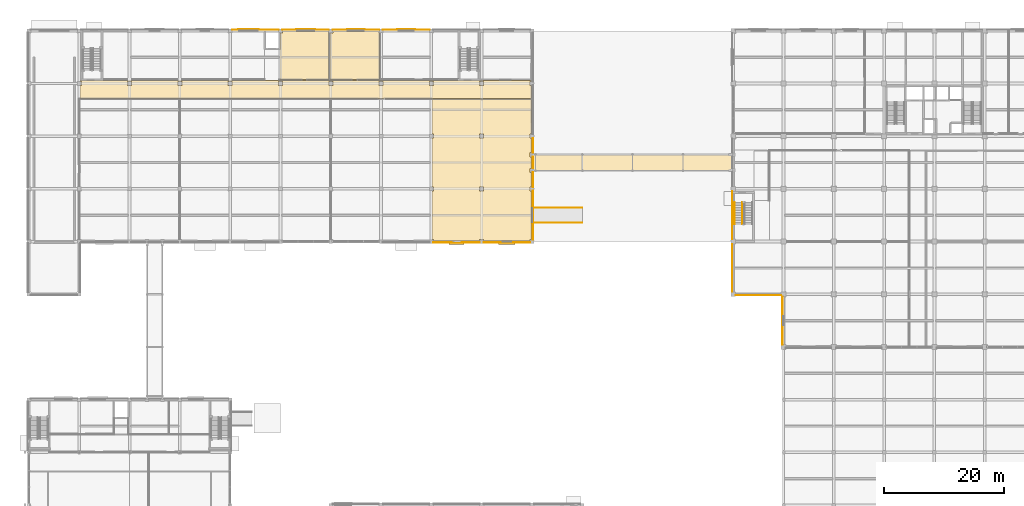
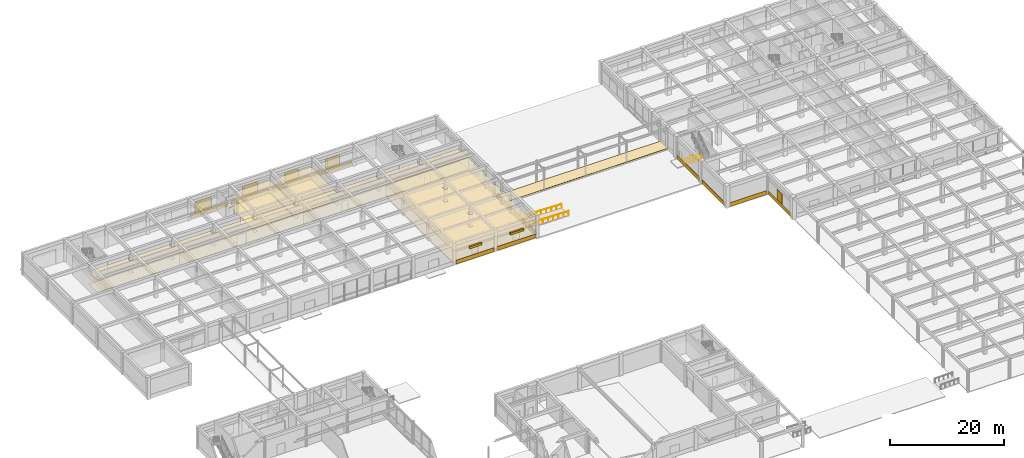
# One storey, part 53 of 58: 23 coverings, 7 shading devices, 4 railings.
"""IFC4 building model written with IfcOpenShell, lengths in metres."""

import ifcopenshell
import ifcopenshell.guid

model = None  # the IFC model being written
_history = None  # IfcOwnerHistory: only IFC2X3 demands one
_inside = {}  # id of a spatial element -> (the spatial element, [elements in it])
_under = {}  # id of a project, library or spatial element -> (it, [spatial elements below it])
_declared = {}  # id of a project -> (the project, [libraries it declares])
_typed = {}  # id of a type object -> (the type object, [elements of that type])
_made_of = {}  # id of a material, layer set ... -> (it, [elements and type objects made of it])


def new_model(schema):
    """Start an empty IFC model of exactly this schema.

    Asked for "IFC4X3", IfcOpenShell would pick the latest addendum, in which some entities
    have other attributes; the version numbers below select the first issue.
    IFC2X3 requires an IfcOwnerHistory on every rooted entity: one is made here for all.
    """
    global model, _history
    if schema == "IFC4X3":
        model = ifcopenshell.file(schema_version=(4, 3, 0, 0))
    else:
        model = ifcopenshell.file(schema=schema)
    _inside.clear()
    _under.clear()
    _declared.clear()
    _typed.clear()
    _made_of.clear()
    _history = None
    if model.schema == "IFC2X3":
        org = make("IfcOrganization", Name="unknown")
        user = make(
            "IfcPersonAndOrganization",
            ThePerson=make("IfcPerson", FamilyName="unknown"),
            TheOrganization=org,
        )
        app = make(
            "IfcApplication",
            ApplicationDeveloper=org,
            Version="unknown",
            ApplicationFullName="unknown",
            ApplicationIdentifier="unknown",
        )
        _history = make(
            "IfcOwnerHistory",
            OwningUser=user,
            OwningApplication=app,
            ChangeAction="ADDED",
            CreationDate=0,
        )
    return model


def make(cls, **values):
    """One entity of the class cls with the attributes given. An attribute that is None is left unset."""
    return model.create_entity(
        cls, **{name: value for name, value in values.items() if value is not None}
    )


def rooted(cls, **values):
    """An entity with a GlobalId (a new one), such as an element, a storey or a relation."""
    return make(cls, GlobalId=ifcopenshell.guid.new(), OwnerHistory=_history, **values)


def si_unit(unit_type, name, prefix=None):
    """IfcSIUnit, for example si_unit("LENGTHUNIT", "METRE", prefix="MILLI")."""
    return make("IfcSIUnit", UnitType=unit_type, Prefix=prefix, Name=name)


def assignment(units):
    """IfcUnitAssignment: the units of a project."""
    return None if units is None else make("IfcUnitAssignment", Units=units)


def point(xyz):
    """IfcCartesianPoint."""
    return None if xyz is None else make("IfcCartesianPoint", Coordinates=xyz)


def direction(xyz):
    """IfcDirection."""
    return None if xyz is None else make("IfcDirection", DirectionRatios=xyz)


def frame(location, z_axis=None, x_axis=None):
    """IfcAxis2Placement3D, a coordinate frame: its origin and axes. An axis left out is left unset."""
    return make(
        "IfcAxis2Placement3D",
        Location=point(location),
        Axis=direction(z_axis),
        RefDirection=direction(x_axis),
    )


def frame_2d(location, x_axis=None):
    """IfcAxis2Placement2D, a coordinate frame in the plane: its origin and x axis."""
    return make(
        "IfcAxis2Placement2D", Location=point(location), RefDirection=direction(x_axis)
    )


def origin():
    """The frame at (0, 0, 0) with its axes left unset."""
    return frame((0.0, 0.0, 0.0))


def origin_2d():
    """The frame at (0, 0) in the plane with its x axis left unset."""
    return frame_2d((0.0, 0.0))


def place(relative_to, where):
    """IfcLocalPlacement: puts the frame where relative to a parent placement (None: the world)."""
    return make(
        "IfcLocalPlacement", PlacementRelTo=relative_to, RelativePlacement=where
    )


def context(
    kind, dimensions, precision=None, world=None, true_north=None, identifier=None
):
    """IfcGeometricRepresentationContext, for example the 3D "Model" context."""
    return make(
        "IfcGeometricRepresentationContext",
        ContextIdentifier=identifier,
        ContextType=kind,
        CoordinateSpaceDimension=dimensions,
        Precision=precision,
        WorldCoordinateSystem=world,
        TrueNorth=true_north,
    )


def subcontext(parent, identifier, kind, view, scale=None):
    """IfcGeometricRepresentationSubContext, for example "Body" below "Model"."""
    return make(
        "IfcGeometricRepresentationSubContext",
        ContextIdentifier=identifier,
        ContextType=kind,
        ParentContext=parent,
        TargetScale=scale,
        TargetView=view,
    )


def project(units=None, contexts=None):
    """IfcProject with its units and contexts."""
    return rooted(
        "IfcProject",
        Name="project",
        RepresentationContexts=contexts,
        UnitsInContext=assignment(units),
    )


def spatial(cls, under=None, at=None, **own):
    """A site, building, storey or space (cls), placed at a placement, below another one or the project."""
    s = rooted(cls, ObjectPlacement=at, **own)
    if under is not None:
        _under.setdefault(under.id(), (under, []))[1].append(s)
    return s


def polyline(points):
    """IfcPolyline through the points."""
    return make("IfcPolyline", Points=[point(p) for p in points])


def profile(cls, at=None, kind="AREA", **sizes):
    """A parametric profile (cls). Its sizes go by their IFC names, for example OverallWidth=200.0."""
    return make(cls, ProfileType=kind, Position=at, **sizes)


def rectangle(**sizes):
    """IfcRectangleProfileDef."""
    return profile("IfcRectangleProfileDef", **sizes)


def circle(**sizes):
    """IfcCircleProfileDef."""
    return profile("IfcCircleProfileDef", **sizes)


def outline(outer, holes=None, kind="AREA"):
    """IfcArbitraryClosedProfileDef: a profile drawn as a closed curve; with holes, ...WithVoids."""
    if holes is None:
        return make("IfcArbitraryClosedProfileDef", ProfileType=kind, OuterCurve=outer)
    return make(
        "IfcArbitraryProfileDefWithVoids",
        ProfileType=kind,
        OuterCurve=outer,
        InnerCurves=holes,
    )


def extrude(swept, where, along, depth):
    """IfcExtrudedAreaSolid: the profile swept, set in the frame where, extruded along a direction by depth."""
    return make(
        "IfcExtrudedAreaSolid",
        SweptArea=swept,
        Position=where,
        ExtrudedDirection=direction(along),
        Depth=depth,
    )


def shape(context_of_items, identifier, shape_type, items):
    """IfcShapeRepresentation: the items that make up one representation, for example the "Body"."""
    return make(
        "IfcShapeRepresentation",
        ContextOfItems=context_of_items,
        RepresentationIdentifier=identifier,
        RepresentationType=shape_type,
        Items=items,
    )


def material(Name=None, Category=None):
    """IfcMaterial."""
    return make("IfcMaterial", Name=Name, Category=Category)


def layer(
    of_material, thickness, ventilated=None, Name=None, Category=None, Priority=None
):
    """IfcMaterialLayer: one layer of a wall or slab, of a material (None: an air gap)."""
    return make(
        "IfcMaterialLayer",
        Material=of_material,
        LayerThickness=thickness,
        IsVentilated=ventilated,
        Name=Name,
        Category=Category,
        Priority=Priority,
    )


def layer_set(layers, Name=None):
    """IfcMaterialLayerSet."""
    return make("IfcMaterialLayerSet", MaterialLayers=layers, LayerSetName=Name)


def made_of(thing, what):
    """Note that an element or type object is made of a material, layer set ...; save() writes the relation."""
    if what is not None:
        _made_of.setdefault(what.id(), (what, []))[1].append(thing)
    return thing


def type_object(cls, material=None, **own):
    """A type object (cls), such as IfcWallType, which elements share."""
    return made_of(rooted(cls, **own), material)


def element(
    cls,
    number,
    at=None,
    inside=None,
    cuts=None,
    type_object=None,
    material=None,
    context=None,
    identifier="Body",
    shape_type=None,
    held_by="IfcProductDefinitionShape",
    body=None,
    shapes=None,
    **own,
):
    """One element of the class cls, such as IfcWall. Its Tag is "e" and its number.

    at: its placement. inside: the storey or other place that contains it. cuts: it is an
    opening in that element (IfcRelVoidsElement). A single representation is given by context,
    identifier, shape_type and body (its items); several are given by shapes. held_by: the class
    of the entity that holds the representations. save() writes the other relations.
    """
    e = rooted(cls, Tag="e%d" % number, ObjectPlacement=at, **own)
    if body is not None:
        shapes = [shape(context, identifier, shape_type, body)]
    if shapes is not None:
        e.Representation = make(held_by, Representations=shapes)
    if inside is not None:
        _inside.setdefault(inside.id(), (inside, []))[1].append(e)
    if cuts is not None:
        rooted(
            "IfcRelVoidsElement", RelatingBuildingElement=cuts, RelatedOpeningElement=e
        )
    if type_object is not None:
        _typed.setdefault(type_object.id(), (type_object, []))[1].append(e)
    return made_of(e, material)


def aggregate(whole, parts):
    """IfcRelAggregates: a whole, such as a stair, and the parts it consists of."""
    return rooted("IfcRelAggregates", RelatingObject=whole, RelatedObjects=parts)


def save(model, path):
    """Write the relations noted so far, then the file.

    IfcRelAggregates (storeys below a building ...), IfcRelContainedInSpatialStructure (elements
    in a storey), IfcRelDefinesByType, IfcRelAssociatesMaterial and IfcRelDeclares: one each for
    every whole, place, type object, material and project.
    """
    for whole, parts in _under.values():
        aggregate(whole, parts)
    for where, things in _inside.values():
        rooted(
            "IfcRelContainedInSpatialStructure",
            RelatedElements=things,
            RelatingStructure=where,
        )
    for kind, things in _typed.values():
        rooted("IfcRelDefinesByType", RelatedObjects=things, RelatingType=kind)
    for what, things in _made_of.values():
        rooted("IfcRelAssociatesMaterial", RelatedObjects=things, RelatingMaterial=what)
    for by, libraries in _declared.values():
        rooted("IfcRelDeclares", RelatingContext=by, RelatedDefinitions=libraries)
    model.write(path)


model = new_model("IFC4")

# Units and contexts
model_context = context("Model", 3, precision=1e-05, world=origin(), true_north=direction((0.0, 1.0)))
body_context = subcontext(model_context, "Body", "Model", "MODEL_VIEW")
ifc_project = project(units=[si_unit("LENGTHUNIT", "METRE"), si_unit("AREAUNIT", "SQUARE_METRE"), si_unit("VOLUMEUNIT", "CUBIC_METRE"), si_unit("PLANEANGLEUNIT", "RADIAN"), si_unit("MASSUNIT", "GRAM", prefix="KILO")], contexts=[model_context])

# Site, building, storey
site_placement = place(None, origin())
site = spatial("IfcSite", under=ifc_project, at=site_placement, CompositionType="ELEMENT")
building_placement = place(site_placement, origin())
building = spatial("IfcBuilding", under=site, at=building_placement, Name="Kemercrest Conservatory and Botanical Centre", CompositionType="ELEMENT")
storey_placement = place(building_placement, origin())
storey = spatial("IfcBuildingStorey", under=building, at=storey_placement, Name="L00", CompositionType="ELEMENT", Elevation=0.0)

# Coverings
ifc_material_1 = material(Name="Honed limestone almasik ashlar rainscreen", Category="masonry")
ifc_layer_1 = layer(ifc_material_1, 0.0400390625)
ifc_layer_set_1 = layer_set([ifc_layer_1], Name="Honed limestone almasik ashlar rainscreen")
covering_type_1 = type_object("IfcCoveringType", Name="CV-CLD040", PredefinedType="CLADDING", material=ifc_layer_set_1)
covering_1_placement = place(storey_placement, origin())
element("IfcCovering", 1, at=covering_1_placement, inside=storey, type_object=covering_type_1, Name="Exterior stone spandrel cladding (WAL:L00:EXT-076)", PredefinedType="CLADDING", context=body_context, shape_type="SweptSolid", body=[
    extrude(outline(polyline([(75.510009765625, 87.050048828125), (75.510009765625, 87.010009765625), (83.2900390625, 87.010009765625), (83.2900390625, 87.050048828125), (75.510009765625, 87.050048828125)])), origin(), (0.0, 0.0, 1.0), 0.85009765625),
])
covering_2_placement = place(storey_placement, origin())
element("IfcCovering", 2, at=covering_2_placement, inside=storey, type_object=covering_type_1, Name="Exterior stone spandrel cladding (WAL:L00:EXT-077)", PredefinedType="CLADDING", context=body_context, shape_type="SweptSolid", body=[
    extrude(outline(polyline([(83.909912109375, 87.050048828125), (83.909912109375, 87.010009765625), (91.68994140625, 87.010009765625), (91.68994140625, 87.050048828125), (83.909912109375, 87.050048828125)])), origin(), (0.0, 0.0, 1.0), 0.85009765625),
])
covering_3_placement = place(storey_placement, origin())
element("IfcCovering", 3, at=covering_3_placement, inside=storey, type_object=covering_type_1, Name="Exterior stone spandrel cladding (WAL:L00:EXT-078)", PredefinedType="CLADDING", context=body_context, shape_type="SweptSolid", body=[
    extrude(outline(polyline([(92.14990234375, 87.510009765625), (92.18994140625, 87.510009765625), (92.18994140625, 95.68994140625), (92.14990234375, 95.68994140625), (92.14990234375, 87.510009765625)])), origin(), (0.0, 0.0, 1.0), 0.85009765625),
])
covering_4_placement = place(storey_placement, origin())
element("IfcCovering", 4, at=covering_4_placement, inside=storey, type_object=covering_type_1, Name="Exterior stone spandrel cladding (WAL:L00:EXT-079-S1)", PredefinedType="CLADDING", context=body_context, shape_type="SweptSolid", body=[
    extrude(outline(polyline([(92.14990234375, 96.31005859375), (92.18994140625, 96.31005859375), (92.18994140625, 98.7900390625), (92.14990234375, 98.7900390625), (92.14990234375, 96.31005859375)])), origin(), (0.0, 0.0, 1.0), 0.85009765625),
])
covering_5_placement = place(storey_placement, origin())
element("IfcCovering", 5, at=covering_5_placement, inside=storey, type_object=covering_type_1, Name="Exterior stone spandrel cladding (WAL:L00:EXT-079-S2)", PredefinedType="CLADDING", context=body_context, shape_type="SweptSolid", body=[
    extrude(outline(polyline([(92.14990234375, 99.409912109375), (92.18994140625, 99.409912109375), (92.18994140625, 101.389892578125), (92.14990234375, 101.389892578125), (92.14990234375, 99.409912109375)])), origin(), (0.0, 0.0, 1.0), 0.85009765625),
])
covering_6_placement = place(storey_placement, origin())
element("IfcCovering", 6, at=covering_6_placement, inside=storey, type_object=covering_type_1, Name="Exterior stone spandrel cladding (WAL:L00:EXT-079-S3)", PredefinedType="CLADDING", context=body_context, shape_type="SweptSolid", body=[
    extrude(outline(polyline([(92.14990234375, 102.010009765625), (92.18994140625, 102.010009765625), (92.18994140625, 104.489990234375), (92.14990234375, 104.489990234375), (92.14990234375, 102.010009765625)])), origin(), (0.0, 0.0, 1.0), 0.85009765625),
])
covering_7_placement = place(storey_placement, origin())
element("IfcCovering", 7, at=covering_7_placement, inside=storey, type_object=covering_type_1, Name="Exterior stone spandrel cladding (WAL:L00:EXT-084)", PredefinedType="CLADDING", context=body_context, shape_type="SweptSolid", body=[
    extrude(outline(polyline([(74.889892578125, 122.550048828125), (74.889892578125, 122.590087890625), (67.110107421875, 122.590087890625), (67.110107421875, 122.550048828125), (74.889892578125, 122.550048828125)])), origin(), (0.0, 0.0, 1.0), 0.85009765625),
])
covering_8_placement = place(storey_placement, origin())
element("IfcCovering", 8, at=covering_8_placement, inside=storey, type_object=covering_type_1, Name="Exterior stone spandrel cladding (WAL:L00:EXT-085)", PredefinedType="CLADDING", context=body_context, shape_type="SweptSolid", body=[
    extrude(outline(polyline([(66.489990234375, 122.550048828125), (66.489990234375, 122.590087890625), (58.7099609375, 122.590087890625), (58.7099609375, 122.550048828125), (66.489990234375, 122.550048828125)])), origin(), (0.0, 0.0, 1.0), 0.85009765625),
])
covering_9_placement = place(storey_placement, origin())
element("IfcCovering", 9, at=covering_9_placement, inside=storey, type_object=covering_type_1, Name="Exterior stone spandrel cladding (WAL:L00:EXT-086)", PredefinedType="CLADDING", context=body_context, shape_type="SweptSolid", body=[
    extrude(outline(polyline([(58.090087890625, 122.550048828125), (58.090087890625, 122.590087890625), (50.31005859375, 122.590087890625), (50.31005859375, 122.550048828125), (58.090087890625, 122.550048828125)])), origin(), (0.0, 0.0, 1.0), 0.85009765625),
])
covering_10_placement = place(storey_placement, origin())
element("IfcCovering", 10, at=covering_10_placement, inside=storey, type_object=covering_type_1, Name="Exterior stone spandrel cladding (WAL:L00:EXT-087)", PredefinedType="CLADDING", context=body_context, shape_type="SweptSolid", body=[
    extrude(outline(polyline([(49.68994140625, 122.550048828125), (49.68994140625, 122.590087890625), (41.909912109375, 122.590087890625), (41.909912109375, 122.550048828125), (49.68994140625, 122.550048828125)])), origin(), (0.0, 0.0, 1.0), 0.85009765625),
])
covering_11_placement = place(storey_placement, origin())
element("IfcCovering", 11, at=covering_11_placement, inside=storey, type_object=covering_type_1, Name="Exterior stone spandrel cladding (WAL:L00:EXT-172)", PredefinedType="CLADDING", context=body_context, shape_type="SweptSolid", body=[
    extrude(outline(polyline([(125.449951171875, 95.590087890625), (125.409912109375, 95.590087890625), (125.409912109375, 87.610107421875), (125.449951171875, 87.610107421875), (125.449951171875, 95.590087890625)])), origin(), (0.0, 0.0, 1.0), 0.85009765625),
])
covering_12_placement = place(storey_placement, origin())
element("IfcCovering", 12, at=covering_12_placement, inside=storey, type_object=covering_type_1, Name="Exterior stone spandrel cladding (WAL:L00:EXT-173)", PredefinedType="CLADDING", context=body_context, shape_type="SweptSolid", body=[
    extrude(outline(polyline([(125.449951171875, 86.7900390625), (125.409912109375, 86.7900390625), (125.409912109375, 78.81005859375), (125.449951171875, 78.81005859375), (125.449951171875, 86.7900390625)])), origin(), (0.0, 0.0, 1.0), 0.85009765625),
])
covering_13_placement = place(storey_placement, origin())
element("IfcCovering", 13, at=covering_13_placement, inside=storey, type_object=covering_type_1, Name="Exterior stone spandrel cladding (WAL:L00:EXT-174)", PredefinedType="CLADDING", context=body_context, shape_type="SweptSolid", body=[
    extrude(outline(polyline([(126.010009765625, 78.25), (126.010009765625, 78.2099609375), (133.590087890625, 78.2099609375), (133.590087890625, 78.25), (126.010009765625, 78.25)])), origin(), (0.0, 0.0, 1.0), 0.85009765625),
])
covering_14_placement = place(storey_placement, origin())
element("IfcCovering", 14, at=covering_14_placement, inside=storey, type_object=covering_type_1, Name="Exterior stone spandrel cladding (WAL:L00:EXT-175)", PredefinedType="CLADDING", context=body_context, shape_type="SweptSolid", body=[
    extrude(outline(polyline([(133.85009765625, 77.989990234375), (133.81005859375, 77.989990234375), (133.81005859375, 70.010009765625), (133.85009765625, 70.010009765625), (133.85009765625, 77.989990234375)])), origin(), (0.0, 0.0, 1.0), 0.85009765625),
])
ifc_material_2 = material(Name="Perforated acoustic gypsum and mineral-fibre suspended ceiling", Category="gypsum")
ifc_layer_2 = layer(ifc_material_2, 0.034912109375)
ifc_layer_set_2 = layer_set([ifc_layer_2], Name="Perforated acoustic gypsum and mineral-fibre suspended ceiling")
covering_type_2 = type_object("IfcCoveringType", Name="CV-CLG035", PredefinedType="CEILING", material=ifc_layer_set_2)
covering_15_placement = place(storey_placement, frame((0.0, 0.0, 2.699951171875)))
element("IfcCovering", 15, at=covering_15_placement, inside=storey, type_object=covering_type_2, Name="Visitor Spine Corridor suspended acoustic ceiling", PredefinedType="CEILING", context=body_context, shape_type="SweptSolid", body=[
    extrude(outline(polyline([(16.739990234375, 113.260009765625), (16.47998046875, 113.260009765625), (16.47998046875, 111.080078125), (91.919921875, 111.080078125), (91.919921875, 113.260009765625), (91.659912109375, 113.260009765625), (91.659912109375, 113.93994140625), (91.919921875, 113.93994140625), (91.919921875, 114.1201171875), (16.47998046875, 114.1201171875), (16.47998046875, 113.93994140625), (16.739990234375, 113.93994140625), (16.739990234375, 113.260009765625)]), holes=[polyline([(83.260009765625, 113.260009765625), (83.260009765625, 113.93994140625), (83.93994140625, 113.93994140625), (83.93994140625, 113.260009765625), (83.260009765625, 113.260009765625)]), polyline([(74.860107421875, 113.260009765625), (74.860107421875, 113.93994140625), (75.5400390625, 113.93994140625), (75.5400390625, 113.260009765625), (74.860107421875, 113.260009765625)]), polyline([(66.4599609375, 113.260009765625), (66.4599609375, 113.93994140625), (67.139892578125, 113.93994140625), (67.139892578125, 113.260009765625), (66.4599609375, 113.260009765625)]), polyline([(58.06005859375, 113.260009765625), (58.06005859375, 113.93994140625), (58.739990234375, 113.93994140625), (58.739990234375, 113.260009765625), (58.06005859375, 113.260009765625)]), polyline([(49.659912109375, 113.260009765625), (49.659912109375, 113.93994140625), (50.340087890625, 113.93994140625), (50.340087890625, 113.260009765625), (49.659912109375, 113.260009765625)]), polyline([(41.93994140625, 113.260009765625), (41.260009765625, 113.260009765625), (41.260009765625, 113.93994140625), (41.93994140625, 113.93994140625), (41.93994140625, 113.260009765625)]), polyline([(32.860107421875, 113.260009765625), (32.860107421875, 113.93994140625), (33.5400390625, 113.93994140625), (33.5400390625, 113.260009765625), (32.860107421875, 113.260009765625)]), polyline([(24.4599609375, 113.260009765625), (24.4599609375, 113.93994140625), (25.139892578125, 113.93994140625), (25.139892578125, 113.260009765625), (24.4599609375, 113.260009765625)])]), origin(), (0.0, 0.0, 1.0), 0.03515625),
])
covering_16_placement = place(storey_placement, frame((0.0, 0.0, 2.699951171875)))
element("IfcCovering", 16, at=covering_16_placement, inside=storey, type_object=covering_type_2, Name="Specimen Preparation Laboratory suspended acoustic ceiling", PredefinedType="CEILING", context=body_context, shape_type="SweptSolid", body=[
    extrude(outline(polyline([(83.260009765625, 87.5400390625), (83.93994140625, 87.5400390625), (83.93994140625, 87.280029296875), (91.659912109375, 87.280029296875), (91.659912109375, 87.5400390625), (91.919921875, 87.5400390625), (91.919921875, 95.659912109375), (91.659912109375, 95.659912109375), (91.659912109375, 96.340087890625), (91.919921875, 96.340087890625), (91.919921875, 98.760009765625), (91.659912109375, 98.760009765625), (91.659912109375, 99.43994140625), (91.919921875, 99.43994140625), (91.919921875, 101.360107421875), (91.659912109375, 101.360107421875), (91.659912109375, 102.0400390625), (91.919921875, 102.0400390625), (91.919921875, 104.4599609375), (91.659912109375, 104.4599609375), (91.659912109375, 105.139892578125), (91.919921875, 105.139892578125), (91.919921875, 110.919921875), (75.280029296875, 110.919921875), (75.280029296875, 105.139892578125), (75.5400390625, 105.139892578125), (75.5400390625, 104.4599609375), (75.280029296875, 104.4599609375), (75.280029296875, 96.340087890625), (75.5400390625, 96.340087890625), (75.5400390625, 95.659912109375), (75.280029296875, 95.659912109375), (75.280029296875, 87.5400390625), (75.5400390625, 87.5400390625), (75.5400390625, 87.280029296875), (83.260009765625, 87.280029296875), (83.260009765625, 87.5400390625)]), holes=[polyline([(83.260009765625, 95.659912109375), (83.260009765625, 96.340087890625), (83.93994140625, 96.340087890625), (83.93994140625, 95.659912109375), (83.260009765625, 95.659912109375)]), polyline([(83.260009765625, 104.4599609375), (83.260009765625, 105.139892578125), (83.93994140625, 105.139892578125), (83.93994140625, 104.4599609375), (83.260009765625, 104.4599609375)])]), origin(), (0.0, 0.0, 1.0), 0.03515625),
])
covering_17_placement = place(storey_placement, frame((0.0, 0.0, 2.699951171875)))
element("IfcCovering", 17, at=covering_17_placement, inside=storey, type_object=covering_type_2, Name="Public Washroom suspended acoustic ceiling", PredefinedType="CEILING", context=body_context, shape_type="SweptSolid", body=[
    extrude(outline(polyline([(49.8798828125, 114.280029296875), (58.1201171875, 114.280029296875), (58.1201171875, 122.06005859375), (58.06005859375, 122.06005859375), (58.06005859375, 122.320068359375), (50.340087890625, 122.320068359375), (50.340087890625, 122.06005859375), (49.8798828125, 122.06005859375), (49.8798828125, 114.280029296875)])), origin(), (0.0, 0.0, 1.0), 0.03515625),
])
covering_18_placement = place(storey_placement, frame((0.0, 0.0, 2.699951171875)))
element("IfcCovering", 18, at=covering_18_placement, inside=storey, type_object=covering_type_2, Name="Universal Accessible Washroom suspended acoustic ceiling", PredefinedType="CEILING", context=body_context, shape_type="SweptSolid", body=[
    extrude(outline(polyline([(58.280029296875, 114.280029296875), (66.52001953125, 114.280029296875), (66.52001953125, 122.06005859375), (66.4599609375, 122.06005859375), (66.4599609375, 122.320068359375), (58.739990234375, 122.320068359375), (58.739990234375, 122.06005859375), (58.280029296875, 122.06005859375), (58.280029296875, 114.280029296875)])), origin(), (0.0, 0.0, 1.0), 0.03515625),
])
ifc_material_3 = material(Name="Polished limestone terrazzo and seamless laboratory epoxy flooring", Category="masonry")
ifc_layer_3 = layer(ifc_material_3, 0.02001953125)
ifc_layer_set_3 = layer_set([ifc_layer_3], Name="Polished limestone terrazzo and seamless laboratory epoxy flooring")
covering_type_3 = type_object("IfcCoveringType", Name="CV-FLR020", PredefinedType="FLOORING", material=ifc_layer_set_3)
covering_19_placement = place(storey_placement, origin())
element("IfcCovering", 19, at=covering_19_placement, inside=storey, type_object=covering_type_3, Name="Visitor Spine Corridor floor finish", PredefinedType="FLOORING", context=body_context, shape_type="SweptSolid", body=[
    extrude(outline(polyline([(16.739990234375, 113.260009765625), (16.47998046875, 113.260009765625), (16.47998046875, 111.080078125), (91.919921875, 111.080078125), (91.919921875, 113.260009765625), (91.659912109375, 113.260009765625), (91.659912109375, 113.93994140625), (91.919921875, 113.93994140625), (91.919921875, 114.1201171875), (16.47998046875, 114.1201171875), (16.47998046875, 113.93994140625), (16.739990234375, 113.93994140625), (16.739990234375, 113.260009765625)]), holes=[polyline([(83.260009765625, 113.260009765625), (83.260009765625, 113.93994140625), (83.93994140625, 113.93994140625), (83.93994140625, 113.260009765625), (83.260009765625, 113.260009765625)]), polyline([(74.860107421875, 113.260009765625), (74.860107421875, 113.93994140625), (75.5400390625, 113.93994140625), (75.5400390625, 113.260009765625), (74.860107421875, 113.260009765625)]), polyline([(66.4599609375, 113.260009765625), (66.4599609375, 113.93994140625), (67.139892578125, 113.93994140625), (67.139892578125, 113.260009765625), (66.4599609375, 113.260009765625)]), polyline([(58.06005859375, 113.260009765625), (58.06005859375, 113.93994140625), (58.739990234375, 113.93994140625), (58.739990234375, 113.260009765625), (58.06005859375, 113.260009765625)]), polyline([(49.659912109375, 113.260009765625), (49.659912109375, 113.93994140625), (50.340087890625, 113.93994140625), (50.340087890625, 113.260009765625), (49.659912109375, 113.260009765625)]), polyline([(41.93994140625, 113.260009765625), (41.260009765625, 113.260009765625), (41.260009765625, 113.93994140625), (41.93994140625, 113.93994140625), (41.93994140625, 113.260009765625)]), polyline([(32.860107421875, 113.260009765625), (32.860107421875, 113.93994140625), (33.5400390625, 113.93994140625), (33.5400390625, 113.260009765625), (32.860107421875, 113.260009765625)]), polyline([(24.4599609375, 113.260009765625), (24.4599609375, 113.93994140625), (25.139892578125, 113.93994140625), (25.139892578125, 113.260009765625), (24.4599609375, 113.260009765625)])]), origin(), (0.0, 0.0, 1.0), 0.02001953125),
])
covering_20_placement = place(storey_placement, origin())
element("IfcCovering", 20, at=covering_20_placement, inside=storey, type_object=covering_type_3, Name="Specimen Preparation Laboratory floor finish", PredefinedType="FLOORING", context=body_context, shape_type="SweptSolid", body=[
    extrude(outline(polyline([(83.260009765625, 87.5400390625), (83.93994140625, 87.5400390625), (83.93994140625, 87.280029296875), (91.659912109375, 87.280029296875), (91.659912109375, 87.5400390625), (91.919921875, 87.5400390625), (91.919921875, 95.659912109375), (91.659912109375, 95.659912109375), (91.659912109375, 96.340087890625), (91.919921875, 96.340087890625), (91.919921875, 98.760009765625), (91.659912109375, 98.760009765625), (91.659912109375, 99.43994140625), (91.919921875, 99.43994140625), (91.919921875, 101.360107421875), (91.659912109375, 101.360107421875), (91.659912109375, 102.0400390625), (91.919921875, 102.0400390625), (91.919921875, 104.4599609375), (91.659912109375, 104.4599609375), (91.659912109375, 105.139892578125), (91.919921875, 105.139892578125), (91.919921875, 110.919921875), (75.280029296875, 110.919921875), (75.280029296875, 105.139892578125), (75.5400390625, 105.139892578125), (75.5400390625, 104.4599609375), (75.280029296875, 104.4599609375), (75.280029296875, 96.340087890625), (75.5400390625, 96.340087890625), (75.5400390625, 95.659912109375), (75.280029296875, 95.659912109375), (75.280029296875, 87.5400390625), (75.5400390625, 87.5400390625), (75.5400390625, 87.280029296875), (83.260009765625, 87.280029296875), (83.260009765625, 87.5400390625)]), holes=[polyline([(83.260009765625, 95.659912109375), (83.260009765625, 96.340087890625), (83.93994140625, 96.340087890625), (83.93994140625, 95.659912109375), (83.260009765625, 95.659912109375)]), polyline([(83.260009765625, 104.4599609375), (83.260009765625, 105.139892578125), (83.93994140625, 105.139892578125), (83.93994140625, 104.4599609375), (83.260009765625, 104.4599609375)])]), origin(), (0.0, 0.0, 1.0), 0.02001953125),
])
covering_21_placement = place(storey_placement, origin())
element("IfcCovering", 21, at=covering_21_placement, inside=storey, type_object=covering_type_3, Name="Public Washroom floor finish", PredefinedType="FLOORING", context=body_context, shape_type="SweptSolid", body=[
    extrude(outline(polyline([(49.8798828125, 114.280029296875), (58.1201171875, 114.280029296875), (58.1201171875, 122.06005859375), (58.06005859375, 122.06005859375), (58.06005859375, 122.320068359375), (50.340087890625, 122.320068359375), (50.340087890625, 122.06005859375), (49.8798828125, 122.06005859375), (49.8798828125, 114.280029296875)])), origin(), (0.0, 0.0, 1.0), 0.02001953125),
])
covering_22_placement = place(storey_placement, origin())
element("IfcCovering", 22, at=covering_22_placement, inside=storey, type_object=covering_type_3, Name="Universal Accessible Washroom floor finish", PredefinedType="FLOORING", context=body_context, shape_type="SweptSolid", body=[
    extrude(outline(polyline([(58.280029296875, 114.280029296875), (66.52001953125, 114.280029296875), (66.52001953125, 122.06005859375), (66.4599609375, 122.06005859375), (66.4599609375, 122.320068359375), (58.739990234375, 122.320068359375), (58.739990234375, 122.06005859375), (58.280029296875, 122.06005859375), (58.280029296875, 114.280029296875)])), origin(), (0.0, 0.0, 1.0), 0.02001953125),
])
ifc_material_4 = material(Name="SBS modified bitumen insulated roofing membrane", Category="roofing")
ifc_layer_4 = layer(ifc_material_4, 0.06005859375)
ifc_layer_set_4 = layer_set([ifc_layer_4], Name="SBS modified bitumen insulated roofing membrane")
covering_type_4 = type_object("IfcCoveringType", Name="CV-RFG060", PredefinedType="ROOFING", material=ifc_layer_set_4)
covering_23_placement = place(storey_placement, origin())
element("IfcCovering", 23, at=covering_23_placement, inside=storey, type_object=covering_type_4, Name="Insulated roof membrane covering (North Courtyard Covered Passage SJ-3 ground colonnade walkway)", PredefinedType="ROOFING", context=body_context, shape_type="SweptSolid", body=[
    extrude(outline(polyline([(92.0, 99.10009765625), (125.60009765625, 99.10009765625), (125.60009765625, 101.699951171875), (92.0, 101.699951171875), (92.0, 99.10009765625)])), origin(), (0.0, 0.0, 1.0), 0.06005859375),
])

# Railings
ifc_material_5 = material(Name="Painted galvanized steel tubular stair guardrail", Category="steel")
railing_type_1 = type_object("IfcRailingType", Name="GR-STR110", PredefinedType="GUARDRAIL", material=ifc_material_5)
railing_1_placement = place(storey_placement, frame((127.110107421875, 93.760009765625, 0.17138671875)))
element("IfcRailing", 24, at=railing_1_placement, inside=storey, type_object=railing_type_1, Name="L00 ST-V4C stair guard 1", PredefinedType="GUARDRAIL", context=body_context, shape_type="SweptSolid", body=[
    extrude(circle(Radius=0.02392578125, at=origin_2d()), frame((0.0, 0.0, 1.076171875), z_axis=(0.0, -0.852850264322, 0.5221555579), x_axis=(1.0, 0.0, 0.0)), (0.0, 0.0, 1.0), 4.267822265625),
    extrude(circle(Radius=0.02099609375, at=origin_2d()), origin(), (0.0, 0.0, 1.0), 1.052001953125),
    extrude(circle(Radius=0.02099609375, at=origin_2d()), frame((0.0, -0.909912109375, 0.55712890625)), (0.0, 0.0, 1.0), 1.052001953125),
    extrude(circle(Radius=0.02099609375, at=origin_2d()), frame((0.0, -1.81982421875, 1.1142578125)), (0.0, 0.0, 1.0), 1.052001953125),
    extrude(circle(Radius=0.02099609375, at=origin_2d()), frame((0.0, -2.72998046875, 1.67138671875)), (0.0, 0.0, 1.0), 1.052001953125),
    extrude(circle(Radius=0.02099609375, at=origin_2d()), frame((0.0, -3.639892578125, 2.228515625)), (0.0, 0.0, 1.0), 1.052001953125),
])
ifc_material_6 = material(Name="Architectural bronze-anodized steel balustrade", Category="steel")
railing_type_2 = type_object("IfcRailingType", Name="HR-RMP092", PredefinedType="HANDRAIL", material=ifc_material_6)
for number, where, name in (
    (25, (100.39990234375, 90.35009765625, -0.179931640625), "Accessible ramp AR-06 handrail 1"),
    (26, (100.39990234375, 92.85009765625, -0.179931640625), "Accessible ramp AR-06 handrail 2"),
):
    element("IfcRailing", number, at=place(storey_placement, frame(where)), inside=storey, type_object=railing_type_2, Name=name, PredefinedType="HANDRAIL", context=body_context, shape_type="SweptSolid", body=[
        extrude(circle(Radius=0.02392578125, at=origin_2d()), frame((0.0, 0.0, 0.89599609375), z_axis=(-0.999770656104, 0.0, 0.021415769736), x_axis=(0.0, -1.0, 0.0)), (0.0, 0.0, 1.0), 8.40185546875),
        extrude(circle(Radius=0.02099609375, at=origin_2d()), origin(), (0.0, 0.0, 1.0), 0.871826171875),
        extrude(circle(Radius=0.02099609375, at=origin_2d()), frame((-1.050048828125, 0.0, 0.0224609375)), (0.0, 0.0, 1.0), 0.871826171875),
        extrude(circle(Radius=0.02099609375, at=origin_2d()), frame((-2.10009765625, 0.0, 0.044921875)), (0.0, 0.0, 1.0), 0.871826171875),
        extrude(circle(Radius=0.02099609375, at=origin_2d()), frame((-3.14990234375, 0.0, 0.0673828125)), (0.0, 0.0, 1.0), 0.871826171875),
        extrude(circle(Radius=0.02099609375, at=origin_2d()), frame((-4.199951171875, 0.0, 0.08984375)), (0.0, 0.0, 1.0), 0.871826171875),
        extrude(circle(Radius=0.02099609375, at=origin_2d()), frame((-5.25, 0.0, 0.112548828125)), (0.0, 0.0, 1.0), 0.871826171875),
        extrude(circle(Radius=0.02099609375, at=origin_2d()), frame((-6.2998046875, 0.0, 0.135009765625)), (0.0, 0.0, 1.0), 0.871826171875),
        extrude(circle(Radius=0.02099609375, at=origin_2d()), frame((-7.349853515625, 0.0, 0.157470703125)), (0.0, 0.0, 1.0), 0.871826171875),
        extrude(circle(Radius=0.02099609375, at=origin_2d()), frame((-8.39990234375, 0.0, 0.179931640625)), (0.0, 0.0, 1.0), 0.871826171875),
    ])
ifc_material_7 = material(Name="Brushed stainless steel wall-mounted handrail", Category="steel")
railing_type_3 = type_object("IfcRailingType", Name="HR-STR090", PredefinedType="HANDRAIL", material=ifc_material_7)
railing_2_placement = place(storey_placement, frame((125.81005859375, 93.760009765625, 0.17138671875)))
element("IfcRailing", 27, at=railing_2_placement, inside=storey, type_object=railing_type_3, Name="L00 ST-V4C stair handrail 1", PredefinedType="HANDRAIL", context=body_context, shape_type="SweptSolid", body=[
    extrude(circle(Radius=0.02392578125, at=origin_2d()), frame((0.0, 0.0, 0.8759765625), z_axis=(0.0, -0.852850264322, 0.5221555579), x_axis=(1.0, 0.0, 0.0)), (0.0, 0.0, 1.0), 4.267822265625),
    extrude(circle(Radius=0.02099609375, at=origin_2d()), origin(), (0.0, 0.0, 1.0), 0.851806640625),
    extrude(circle(Radius=0.02099609375, at=origin_2d()), frame((0.0, -0.909912109375, 0.55712890625)), (0.0, 0.0, 1.0), 0.851806640625),
    extrude(circle(Radius=0.02099609375, at=origin_2d()), frame((0.0, -1.81982421875, 1.1142578125)), (0.0, 0.0, 1.0), 0.851806640625),
    extrude(circle(Radius=0.02099609375, at=origin_2d()), frame((0.0, -2.72998046875, 1.67138671875)), (0.0, 0.0, 1.0), 0.851806640625),
    extrude(circle(Radius=0.02099609375, at=origin_2d()), frame((0.0, -3.639892578125, 2.228515625)), (0.0, 0.0, 1.0), 0.851806640625),
])

# Shading devices
ifc_material_8 = material(Name="Architectural bronze-anodized extruded aluminium", Category="aluminium")
shading_device_type_1 = type_object("IfcShadingDeviceType", Name="SH-JL02", PredefinedType="JALOUSIE", material=ifc_material_8)
shading_device_1_placement = place(storey_placement, frame((79.39990234375, 86.876953125, 2.5751953125), z_axis=(0.0, 0.0, 1.0), x_axis=(1.0, 0.0, 0.0)))
element("IfcShadingDevice", 28, at=shading_device_1_placement, inside=storey, type_object=shading_device_type_1, Name="Solar control louvre visor SH-JL02 (WIN:L00:EXT-076)", PredefinedType="JALOUSIE", context=body_context, shape_type="SweptSolid", body=[
    extrude(rectangle(XDim=2.5, YDim=0.35009765625, at=origin_2d()), origin(), (0.0, 0.0, 1.0), 0.449951171875),
])
shading_device_type_2 = type_object("IfcShadingDeviceType", Name="SH-JL03", PredefinedType="JALOUSIE", material=ifc_material_8)
shading_device_2_placement = place(storey_placement, frame((87.800048828125, 86.876953125, 2.615234375), z_axis=(0.0, 0.0, 1.0), x_axis=(1.0, 0.0, 0.0)))
element("IfcShadingDevice", 29, at=shading_device_2_placement, inside=storey, type_object=shading_device_type_2, Name="Solar control louvre visor SH-JL03 (WIN:L00:EXT-077)", PredefinedType="JALOUSIE", context=body_context, shape_type="SweptSolid", body=[
    extrude(rectangle(XDim=2.800048828125, YDim=0.35009765625, at=origin_2d()), origin(), (0.0, 0.0, 1.0), 0.449951171875),
])
ifc_material_9 = material(Name="Perforated bronze-anodized aluminium", Category="aluminium")
shading_device_type_3 = type_object("IfcShadingDeviceType", Name="SH-MS01", PredefinedType="USERDEFINED", material=ifc_material_9)
shading_device_3_placement = place(storey_placement, frame((62.60009765625, 122.587890625, 0.85986328125), z_axis=(0.0, 0.0, 1.0), x_axis=(-1.0, 0.0, 0.0)))
element("IfcShadingDevice", 30, at=shading_device_3_placement, inside=storey, type_object=shading_device_type_3, Name="Ottoman mashrabiya perforated screen SH-MS01 (WIN:L00:EXT-085)", ObjectType="MASHRABIYA SCREEN", PredefinedType="USERDEFINED", context=body_context, shape_type="SweptSolid", body=[
    extrude(rectangle(XDim=2.9599609375, YDim=0.080078125, at=origin_2d()), origin(), (0.0, 0.0, 1.0), 2.199951171875),
])
shading_device_4_placement = place(storey_placement, frame((133.81201171875, 74.0, 0.89990234375), z_axis=(0.0, 0.0, 1.0), x_axis=(0.0, -1.0, 0.0)))
element("IfcShadingDevice", 31, at=shading_device_4_placement, inside=storey, type_object=shading_device_type_3, Name="Ottoman mashrabiya perforated screen SH-MS01 (WIN:L00:EXT-175)", ObjectType="MASHRABIYA SCREEN", PredefinedType="USERDEFINED", context=body_context, shape_type="SweptSolid", body=[
    extrude(rectangle(XDim=1.800048828125, YDim=0.080078125, at=origin_2d()), origin(), (0.0, 0.0, 1.0), 2.199951171875),
])
shading_device_type_4 = type_object("IfcShadingDeviceType", Name="SH-MS02", PredefinedType="USERDEFINED", material=ifc_material_9)
shading_device_5_placement = place(storey_placement, frame((54.199951171875, 122.587890625, 0.81982421875), z_axis=(0.0, 0.0, 1.0), x_axis=(-1.0, 0.0, 0.0)))
element("IfcShadingDevice", 32, at=shading_device_5_placement, inside=storey, type_object=shading_device_type_4, Name="Ottoman mashrabiya perforated screen SH-MS02 (WIN:L00:EXT-086)", ObjectType="MASHRABIYA SCREEN", PredefinedType="USERDEFINED", context=body_context, shape_type="SweptSolid", body=[
    extrude(rectangle(XDim=3.159912109375, YDim=0.080078125, at=origin_2d()), origin(), (0.0, 0.0, 1.0), 2.300048828125),
])
shading_device_type_5 = type_object("IfcShadingDeviceType", Name="SH-MS03", PredefinedType="USERDEFINED", material=ifc_material_9)
shading_device_6_placement = place(storey_placement, frame((44.655029296875, 122.587890625, 0.81982421875), z_axis=(0.0, 0.0, 1.0), x_axis=(-1.0, 0.0, 0.0)))
element("IfcShadingDevice", 33, at=shading_device_6_placement, inside=storey, type_object=shading_device_type_5, Name="Ottoman mashrabiya perforated screen SH-MS03 (WIN:L00:EXT-087)", ObjectType="MASHRABIYA SCREEN", PredefinedType="USERDEFINED", context=body_context, shape_type="SweptSolid", body=[
    extrude(rectangle(XDim=3.360107421875, YDim=0.080078125, at=origin_2d()), origin(), (0.0, 0.0, 1.0), 2.340087890625),
])
shading_device_type_6 = type_object("IfcShadingDeviceType", Name="SH-MS05", PredefinedType="USERDEFINED", material=ifc_material_9)
shading_device_7_placement = place(storey_placement, frame((71.0, 122.587890625, 0.81982421875), z_axis=(0.0, 0.0, 1.0), x_axis=(-1.0, 0.0, 0.0)))
element("IfcShadingDevice", 34, at=shading_device_7_placement, inside=storey, type_object=shading_device_type_6, Name="Ottoman mashrabiya perforated screen SH-MS05 (WIN:L00:EXT-084)", ObjectType="MASHRABIYA SCREEN", PredefinedType="USERDEFINED", context=body_context, shape_type="SweptSolid", body=[
    extrude(rectangle(XDim=3.0, YDim=0.080078125, at=origin_2d()), origin(), (0.0, 0.0, 1.0), 2.239990234375),
])

save(model, "model.ifc")
